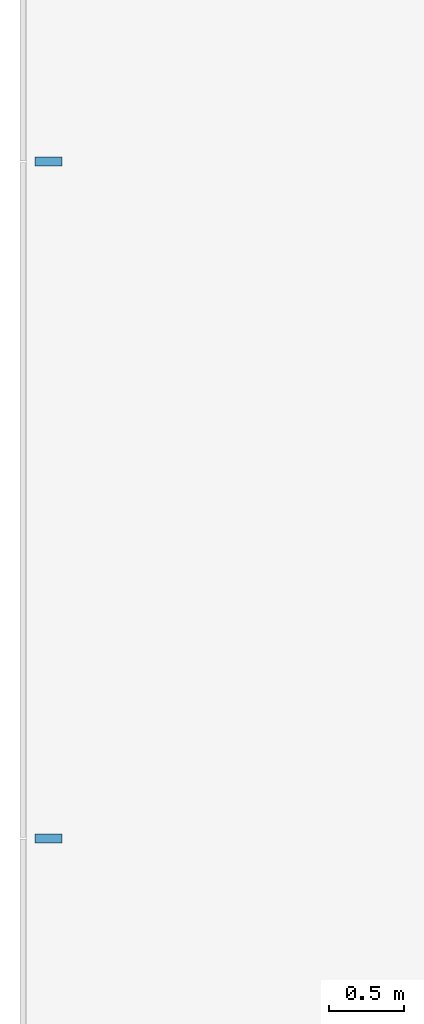
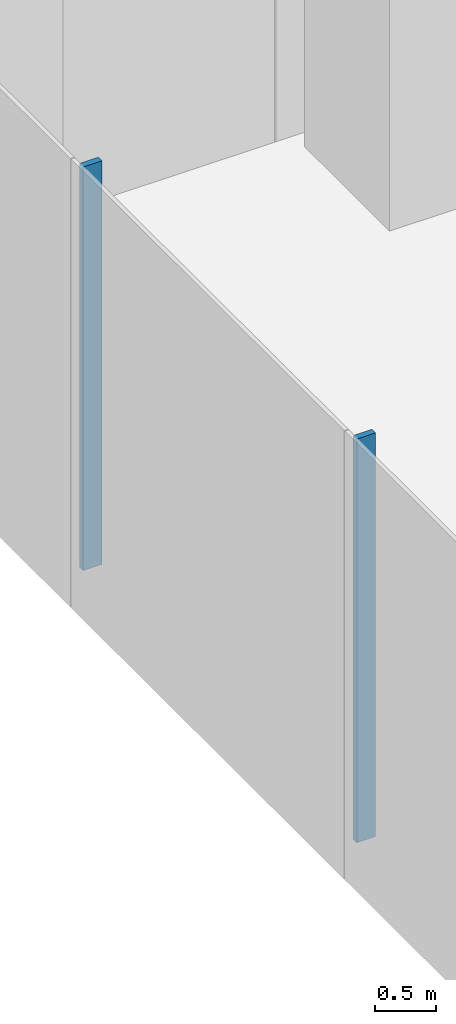
# One storey, part 4 of 23: 2 members, 1 element without a shape of its own.
"""IFC4 building model written with IfcOpenShell, lengths in metres."""

from ifc_helpers import new_model, si_unit, direction, frame, origin, origin_2d, place, context, subcontext, project, spatial, rectangle, extrude, material, layer, layer_set, material_profile, profile_set, type_object, element, aggregate, save


model = new_model("IFC4")

# Units and contexts
model_context = context("Model", 3, precision=1e-05, world=origin(), true_north=direction((0.0, 1.0)))
body_context = subcontext(model_context, "Body", "Model", "MODEL_VIEW")
ifc_project = project(units=[si_unit("LENGTHUNIT", "METRE"), si_unit("AREAUNIT", "SQUARE_METRE"), si_unit("VOLUMEUNIT", "CUBIC_METRE"), si_unit("PLANEANGLEUNIT", "RADIAN"), si_unit("MASSUNIT", "GRAM", prefix="KILO")], contexts=[model_context])

# Site, building, storey
site_placement = place(None, origin())
site = spatial("IfcSite", under=ifc_project, at=site_placement, CompositionType="ELEMENT")
building_placement = place(site_placement, origin())
building = spatial("IfcBuilding", under=site, at=building_placement, Name="Shamsa Quay Exchange Towers", CompositionType="ELEMENT")
storey_placement = place(building_placement, frame((0.0, 0.0, 28.5)))
storey = spatial("IfcBuildingStorey", under=building, at=storey_placement, Name="L05", CompositionType="ELEMENT", Elevation=28.5)

# Curtain wall, members
ifc_material = material(Name="Aluminium EN AW-6063 T6, black anodised", Category="aluminium")
ifc_layer = layer(ifc_material, 0.280029296875)
ifc_layer_set = layer_set([ifc_layer], Name="CW-1 UNITISED VISION GLASS")
curtain_wall_type = type_object("IfcCurtainWallType", Name="CW-1 UNITISED VISION GLASS", PredefinedType="NOTDEFINED", material=ifc_layer_set)
curtain_wall_placement = place(storey_placement, origin())
curtain_wall = element("IfcCurtainWall", 1, at=curtain_wall_placement, inside=storey, type_object=curtain_wall_type, Name="CW1 T1-END-U- L05", PredefinedType="NOTDEFINED")
ifc_material_profile = material_profile(ifc_material, rectangle(XDim=0.179931640625, YDim=0.06005859375, at=origin_2d()), Name="MU60x180")
ifc_profile_set = profile_set([ifc_material_profile], Name="Aluminium EN AW-6063 T6, black anodised")
member_type = type_object("IfcMemberType", Name="CW1 MULLION 60x180", PredefinedType="MULLION", material=ifc_profile_set)
member_1_placement = place(storey_placement, frame((-62.85009765625, 2.25, 0.0)))
member_1 = element("IfcMember", 2, at=member_1_placement, type_object=member_type, Name="CW1 mullion", PredefinedType="MULLION", context=body_context, shape_type="SweptSolid", body=[
    extrude(rectangle(XDim=0.179931640625, YDim=0.06005859375, at=origin_2d()), origin(), (0.0, 0.0, 1.0), 4.050048828125),
])
member_2_placement = place(storey_placement, frame((-62.85009765625, -2.25, 0.0)))
member_2 = element("IfcMember", 3, at=member_2_placement, type_object=member_type, Name="CW1 mullion", PredefinedType="MULLION", context=body_context, shape_type="SweptSolid", body=[
    extrude(rectangle(XDim=0.179931640625, YDim=0.06005859375, at=origin_2d()), origin(), (0.0, 0.0, 1.0), 4.050048828125),
])
aggregate(curtain_wall, [member_1, member_2])

save(model, "model.ifc")
